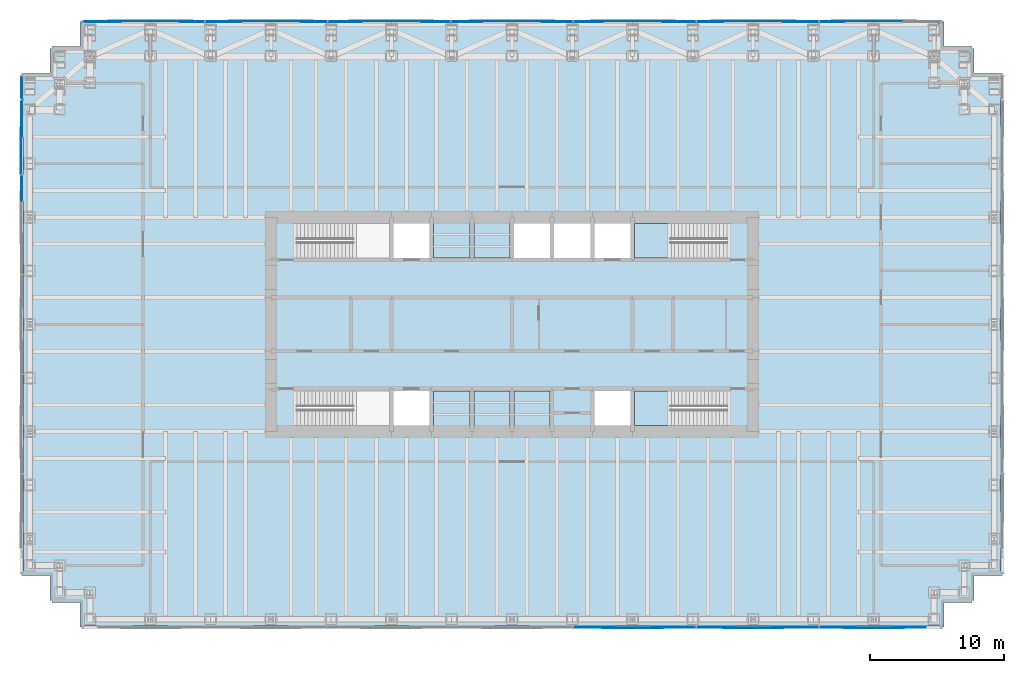
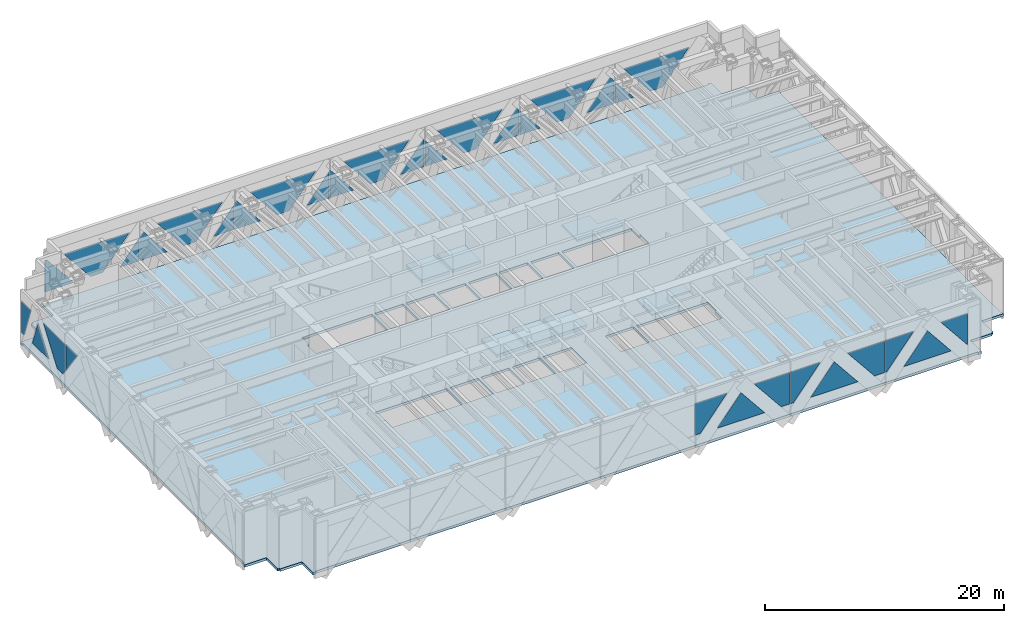
# One storey, part 11 of 16: 33 plates, 8 slabs, 5 elements without a shape of their own.
"""IFC4 building model written with IfcOpenShell, lengths in metres."""

import ifcopenshell
import ifcopenshell.guid

model = None  # the IFC model being written
_history = None  # IfcOwnerHistory: only IFC2X3 demands one
_inside = {}  # id of a spatial element -> (the spatial element, [elements in it])
_under = {}  # id of a project, library or spatial element -> (it, [spatial elements below it])
_declared = {}  # id of a project -> (the project, [libraries it declares])
_typed = {}  # id of a type object -> (the type object, [elements of that type])
_made_of = {}  # id of a material, layer set ... -> (it, [elements and type objects made of it])


def new_model(schema):
    """Start an empty IFC model of exactly this schema.

    Asked for "IFC4X3", IfcOpenShell would pick the latest addendum, in which some entities
    have other attributes; the version numbers below select the first issue.
    IFC2X3 requires an IfcOwnerHistory on every rooted entity: one is made here for all.
    """
    global model, _history
    if schema == "IFC4X3":
        model = ifcopenshell.file(schema_version=(4, 3, 0, 0))
    else:
        model = ifcopenshell.file(schema=schema)
    _inside.clear()
    _under.clear()
    _declared.clear()
    _typed.clear()
    _made_of.clear()
    _history = None
    if model.schema == "IFC2X3":
        org = make("IfcOrganization", Name="unknown")
        user = make(
            "IfcPersonAndOrganization",
            ThePerson=make("IfcPerson", FamilyName="unknown"),
            TheOrganization=org,
        )
        app = make(
            "IfcApplication",
            ApplicationDeveloper=org,
            Version="unknown",
            ApplicationFullName="unknown",
            ApplicationIdentifier="unknown",
        )
        _history = make(
            "IfcOwnerHistory",
            OwningUser=user,
            OwningApplication=app,
            ChangeAction="ADDED",
            CreationDate=0,
        )
    return model


def make(cls, **values):
    """One entity of the class cls with the attributes given. An attribute that is None is left unset."""
    return model.create_entity(
        cls, **{name: value for name, value in values.items() if value is not None}
    )


def rooted(cls, **values):
    """An entity with a GlobalId (a new one), such as an element, a storey or a relation."""
    return make(cls, GlobalId=ifcopenshell.guid.new(), OwnerHistory=_history, **values)


def si_unit(unit_type, name, prefix=None):
    """IfcSIUnit, for example si_unit("LENGTHUNIT", "METRE", prefix="MILLI")."""
    return make("IfcSIUnit", UnitType=unit_type, Prefix=prefix, Name=name)


def assignment(units):
    """IfcUnitAssignment: the units of a project."""
    return None if units is None else make("IfcUnitAssignment", Units=units)


def point(xyz):
    """IfcCartesianPoint."""
    return None if xyz is None else make("IfcCartesianPoint", Coordinates=xyz)


def direction(xyz):
    """IfcDirection."""
    return None if xyz is None else make("IfcDirection", DirectionRatios=xyz)


def frame(location, z_axis=None, x_axis=None):
    """IfcAxis2Placement3D, a coordinate frame: its origin and axes. An axis left out is left unset."""
    return make(
        "IfcAxis2Placement3D",
        Location=point(location),
        Axis=direction(z_axis),
        RefDirection=direction(x_axis),
    )


def origin():
    """The frame at (0, 0, 0) with its axes left unset."""
    return frame((0.0, 0.0, 0.0))


def place(relative_to, where):
    """IfcLocalPlacement: puts the frame where relative to a parent placement (None: the world)."""
    return make(
        "IfcLocalPlacement", PlacementRelTo=relative_to, RelativePlacement=where
    )


def context(
    kind, dimensions, precision=None, world=None, true_north=None, identifier=None
):
    """IfcGeometricRepresentationContext, for example the 3D "Model" context."""
    return make(
        "IfcGeometricRepresentationContext",
        ContextIdentifier=identifier,
        ContextType=kind,
        CoordinateSpaceDimension=dimensions,
        Precision=precision,
        WorldCoordinateSystem=world,
        TrueNorth=true_north,
    )


def subcontext(parent, identifier, kind, view, scale=None):
    """IfcGeometricRepresentationSubContext, for example "Body" below "Model"."""
    return make(
        "IfcGeometricRepresentationSubContext",
        ContextIdentifier=identifier,
        ContextType=kind,
        ParentContext=parent,
        TargetScale=scale,
        TargetView=view,
    )


def project(units=None, contexts=None):
    """IfcProject with its units and contexts."""
    return rooted(
        "IfcProject",
        Name="project",
        RepresentationContexts=contexts,
        UnitsInContext=assignment(units),
    )


def spatial(cls, under=None, at=None, **own):
    """A site, building, storey or space (cls), placed at a placement, below another one or the project."""
    s = rooted(cls, ObjectPlacement=at, **own)
    if under is not None:
        _under.setdefault(under.id(), (under, []))[1].append(s)
    return s


def polyline(points):
    """IfcPolyline through the points."""
    return make("IfcPolyline", Points=[point(p) for p in points])


def outline(outer, holes=None, kind="AREA"):
    """IfcArbitraryClosedProfileDef: a profile drawn as a closed curve; with holes, ...WithVoids."""
    if holes is None:
        return make("IfcArbitraryClosedProfileDef", ProfileType=kind, OuterCurve=outer)
    return make(
        "IfcArbitraryProfileDefWithVoids",
        ProfileType=kind,
        OuterCurve=outer,
        InnerCurves=holes,
    )


def extrude(swept, where, along, depth):
    """IfcExtrudedAreaSolid: the profile swept, set in the frame where, extruded along a direction by depth."""
    return make(
        "IfcExtrudedAreaSolid",
        SweptArea=swept,
        Position=where,
        ExtrudedDirection=direction(along),
        Depth=depth,
    )


def shape(context_of_items, identifier, shape_type, items):
    """IfcShapeRepresentation: the items that make up one representation, for example the "Body"."""
    return make(
        "IfcShapeRepresentation",
        ContextOfItems=context_of_items,
        RepresentationIdentifier=identifier,
        RepresentationType=shape_type,
        Items=items,
    )


def material(Name=None, Category=None):
    """IfcMaterial."""
    return make("IfcMaterial", Name=Name, Category=Category)


def layer(
    of_material, thickness, ventilated=None, Name=None, Category=None, Priority=None
):
    """IfcMaterialLayer: one layer of a wall or slab, of a material (None: an air gap)."""
    return make(
        "IfcMaterialLayer",
        Material=of_material,
        LayerThickness=thickness,
        IsVentilated=ventilated,
        Name=Name,
        Category=Category,
        Priority=Priority,
    )


def layer_set(layers, Name=None):
    """IfcMaterialLayerSet."""
    return make("IfcMaterialLayerSet", MaterialLayers=layers, LayerSetName=Name)


def made_of(thing, what):
    """Note that an element or type object is made of a material, layer set ...; save() writes the relation."""
    if what is not None:
        _made_of.setdefault(what.id(), (what, []))[1].append(thing)
    return thing


def type_object(cls, material=None, **own):
    """A type object (cls), such as IfcWallType, which elements share."""
    return made_of(rooted(cls, **own), material)


def element(
    cls,
    number,
    at=None,
    inside=None,
    cuts=None,
    type_object=None,
    material=None,
    context=None,
    identifier="Body",
    shape_type=None,
    held_by="IfcProductDefinitionShape",
    body=None,
    shapes=None,
    **own,
):
    """One element of the class cls, such as IfcWall. Its Tag is "e" and its number.

    at: its placement. inside: the storey or other place that contains it. cuts: it is an
    opening in that element (IfcRelVoidsElement). A single representation is given by context,
    identifier, shape_type and body (its items); several are given by shapes. held_by: the class
    of the entity that holds the representations. save() writes the other relations.
    """
    e = rooted(cls, Tag="e%d" % number, ObjectPlacement=at, **own)
    if body is not None:
        shapes = [shape(context, identifier, shape_type, body)]
    if shapes is not None:
        e.Representation = make(held_by, Representations=shapes)
    if inside is not None:
        _inside.setdefault(inside.id(), (inside, []))[1].append(e)
    if cuts is not None:
        rooted(
            "IfcRelVoidsElement", RelatingBuildingElement=cuts, RelatedOpeningElement=e
        )
    if type_object is not None:
        _typed.setdefault(type_object.id(), (type_object, []))[1].append(e)
    return made_of(e, material)


def aggregate(whole, parts):
    """IfcRelAggregates: a whole, such as a stair, and the parts it consists of."""
    return rooted("IfcRelAggregates", RelatingObject=whole, RelatedObjects=parts)


def save(model, path):
    """Write the relations noted so far, then the file.

    IfcRelAggregates (storeys below a building ...), IfcRelContainedInSpatialStructure (elements
    in a storey), IfcRelDefinesByType, IfcRelAssociatesMaterial and IfcRelDeclares: one each for
    every whole, place, type object, material and project.
    """
    for whole, parts in _under.values():
        aggregate(whole, parts)
    for where, things in _inside.values():
        rooted(
            "IfcRelContainedInSpatialStructure",
            RelatedElements=things,
            RelatingStructure=where,
        )
    for kind, things in _typed.values():
        rooted("IfcRelDefinesByType", RelatedObjects=things, RelatingType=kind)
    for what, things in _made_of.values():
        rooted("IfcRelAssociatesMaterial", RelatedObjects=things, RelatingMaterial=what)
    for by, libraries in _declared.values():
        rooted("IfcRelDeclares", RelatingContext=by, RelatedDefinitions=libraries)
    model.write(path)


model = new_model("IFC4")

# Units and contexts
model_context = context("Model", 3, precision=1e-05, world=origin(), true_north=direction((0.0, 1.0)))
body_context = subcontext(model_context, "Body", "Model", "MODEL_VIEW")
ifc_project = project(units=[si_unit("LENGTHUNIT", "METRE"), si_unit("AREAUNIT", "SQUARE_METRE"), si_unit("VOLUMEUNIT", "CUBIC_METRE"), si_unit("PLANEANGLEUNIT", "RADIAN"), si_unit("MASSUNIT", "GRAM", prefix="KILO")], contexts=[model_context])

# Site, building, storey
site_placement = place(None, origin())
site = spatial("IfcSite", under=ifc_project, at=site_placement, CompositionType="ELEMENT")
building_placement = place(site_placement, origin())
building = spatial("IfcBuilding", under=site, at=building_placement, Name="Rheinbord Bourse Tower", CompositionType="ELEMENT")
storey_placement = place(building_placement, frame((0.0, 0.0, 180.300048828125)))
storey = spatial("IfcBuildingStorey", under=building, at=storey_placement, Name="L40", CompositionType="ELEMENT", Elevation=180.300048828125)

# Slab
ifc_material_1 = material(Name="Concrete C30/37", Category="concrete")
ifc_layer_1 = layer(ifc_material_1, 0.25)
ifc_layer_set_1 = layer_set([ifc_layer_1], Name="COMPOSITE FLOOR SLAB 250")
slab_type_1 = type_object("IfcSlabType", Name="COMPOSITE FLOOR SLAB 250", PredefinedType="FLOOR", material=ifc_layer_set_1)
slab_1_placement = place(storey_placement, frame((0.0, 0.0, -0.25)))
element("IfcSlab", 1, at=slab_1_placement, inside=storey, type_object=slab_type_1, Name="Floor slab L40", PredefinedType="FLOOR", context=body_context, shape_type="SweptSolid", body=[
    extrude(outline(polyline([(1.64990234375, 3.39990234375), (1.5, 3.39990234375), (1.5, 5.25), (-0.60009765625, 5.25), (-0.60009765625, 5.550048828125), (-0.5, 5.550048828125), (-0.5, 42.449951171875), (-0.60009765625, 42.449951171875), (-0.60009765625, 42.75), (1.5, 42.75), (1.5, 44.60009765625), (1.64990234375, 44.60009765625), (1.64990234375, 44.75), (3.75, 44.75), (3.75, 46.60009765625), (4.050048828125, 46.60009765625), (4.050048828125, 46.5), (67.949951171875, 46.5), (67.949951171875, 46.60009765625), (68.25, 46.60009765625), (68.25, 44.75), (70.35009765625, 44.75), (70.35009765625, 44.60009765625), (70.5, 44.60009765625), (70.5, 42.75), (72.60009765625, 42.75), (72.60009765625, 42.449951171875), (72.5, 42.449951171875), (72.5, 5.550048828125), (72.60009765625, 5.550048828125), (72.60009765625, 5.25), (70.5, 5.25), (70.5, 3.39990234375), (70.35009765625, 3.39990234375), (70.35009765625, 3.25), (68.25, 3.25), (68.25, 1.39990234375), (67.949951171875, 1.39990234375), (67.949951171875, 1.5), (4.050048828125, 1.5), (4.050048828125, 1.39990234375), (3.75, 1.39990234375), (3.75, 3.25), (1.64990234375, 3.25), (1.64990234375, 3.39990234375)]), holes=[polyline([(19.949951171875, 19.050048828125), (26.85009765625, 19.050048828125), (26.85009765625, 16.449951171875), (20.10009765625, 16.449951171875), (20.10009765625, 17.64990234375), (19.949951171875, 17.64990234375), (19.949951171875, 19.050048828125)]), polyline([(26.85009765625, 31.550048828125), (26.85009765625, 28.949951171875), (19.949951171875, 28.949951171875), (19.949951171875, 30.35009765625), (20.10009765625, 30.35009765625), (20.10009765625, 31.550048828125), (26.85009765625, 31.550048828125)]), polyline([(45.14990234375, 16.449951171875), (45.14990234375, 19.050048828125), (52.050048828125, 19.050048828125), (52.050048828125, 17.64990234375), (51.89990234375, 17.64990234375), (51.89990234375, 16.449951171875), (45.14990234375, 16.449951171875)]), polyline([(52.050048828125, 28.949951171875), (45.14990234375, 28.949951171875), (45.14990234375, 31.550048828125), (51.89990234375, 31.550048828125), (51.89990234375, 30.35009765625), (52.050048828125, 30.35009765625), (52.050048828125, 28.949951171875)]), polyline([(27.14990234375, 16.449951171875), (27.14990234375, 19.050048828125), (29.85009765625, 19.050048828125), (29.85009765625, 16.449951171875), (27.14990234375, 16.449951171875)]), polyline([(27.14990234375, 28.949951171875), (27.14990234375, 31.550048828125), (29.85009765625, 31.550048828125), (29.85009765625, 28.949951171875), (27.14990234375, 28.949951171875)]), polyline([(30.14990234375, 16.449951171875), (30.14990234375, 19.050048828125), (32.85009765625, 19.050048828125), (32.85009765625, 16.449951171875), (30.14990234375, 16.449951171875)]), polyline([(30.14990234375, 28.949951171875), (30.14990234375, 31.550048828125), (32.85009765625, 31.550048828125), (32.85009765625, 28.949951171875), (30.14990234375, 28.949951171875)]), polyline([(33.14990234375, 16.449951171875), (33.14990234375, 19.050048828125), (35.85009765625, 19.050048828125), (35.85009765625, 16.449951171875), (33.14990234375, 16.449951171875)]), polyline([(33.14990234375, 28.949951171875), (33.14990234375, 31.550048828125), (35.85009765625, 31.550048828125), (35.85009765625, 28.949951171875), (33.14990234375, 28.949951171875)]), polyline([(36.14990234375, 16.449951171875), (36.14990234375, 19.050048828125), (38.85009765625, 19.050048828125), (38.85009765625, 16.449951171875), (36.14990234375, 16.449951171875)]), polyline([(36.14990234375, 28.949951171875), (36.14990234375, 31.550048828125), (38.85009765625, 31.550048828125), (38.85009765625, 28.949951171875), (36.14990234375, 28.949951171875)]), polyline([(39.14990234375, 28.949951171875), (39.14990234375, 31.550048828125), (41.85009765625, 31.550048828125), (41.85009765625, 28.949951171875), (39.14990234375, 28.949951171875)]), polyline([(42.14990234375, 16.449951171875), (42.14990234375, 19.050048828125), (44.85009765625, 19.050048828125), (44.85009765625, 16.449951171875), (42.14990234375, 16.449951171875)]), polyline([(42.14990234375, 28.949951171875), (42.14990234375, 31.550048828125), (44.85009765625, 31.550048828125), (44.85009765625, 28.949951171875), (42.14990234375, 28.949951171875)])]), origin(), (0.0, 0.0, 1.0), 0.25),
])

# Curtain wall, plates
ifc_material_2 = material(Name="Dark glass and black aluminium", Category="aluminium")
curtain_wall_type = type_object("IfcCurtainWallType", Name="CW5 DARK GLASS CURTAIN WALL", PredefinedType="USERDEFINED", material=ifc_material_2)
curtain_wall_1_placement = place(storey_placement, origin())
curtain_wall_1 = element("IfcCurtainWall", 2, at=curtain_wall_1_placement, inside=storey, type_object=curtain_wall_type, Name="Curtain wall CW5 S L40", ObjectType="UNITISED CURTAIN WALL", PredefinedType="USERDEFINED")
ifc_material_3 = material(Name="Dark tinted triple insulating glass", Category="glass")
ifc_layer_2 = layer(ifc_material_3, 0.050048828125)
ifc_layer_set_2 = layer_set([ifc_layer_2], Name="CW5 DARK GLASS PANEL")
plate_type = type_object("IfcPlateType", Name="CW5 DARK GLASS PANEL", PredefinedType="CURTAIN_PANEL", material=ifc_layer_set_2)
plate_1_placement = place(storey_placement, frame((40.6259765625, 1.375, 1.14990234375), z_axis=(0.0, 1.0, 0.0), x_axis=(0.0, 0.0, 1.0)))
plate_1 = element("IfcPlate", 3, at=plate_1_placement, type_object=plate_type, Name="CW5 glass facet 1", PredefinedType="CURTAIN_PANEL", context=body_context, shape_type="SweptSolid", body=[
    extrude(outline(polyline([(0.0, 0.0), (3.199951171875, 0.0), (3.199951171875, 3.051025390625), (0.0, 0.47509765625), (0.0, 0.0)])), origin(), (0.0, 0.0, 1.0), 0.050048828125),
])
plate_2_placement = place(storey_placement, frame((42.717041015625, 1.31982421875, 1.14990234375), z_axis=(0.0, 1.0, 0.0), x_axis=(0.627071935426, 0.0, 0.778961351931)))
plate_2 = element("IfcPlate", 4, at=plate_2_placement, type_object=plate_type, Name="CW5 glass facet 2", PredefinedType="CURTAIN_PANEL", context=body_context, shape_type="SweptSolid", body=[
    extrude(outline(polyline([(0.0, 0.0), (3.640625, 0.0), (2.863037109375, 3.556640625), (0.0, 0.0)])), origin(), (0.0, 0.0, 1.0), 0.050048828125),
])
plate_3_placement = place(storey_placement, frame((49.717041015625, 1.375, 4.349853515625), z_axis=(0.0, 1.0, 0.0), x_axis=(0.0, 0.0, -1.0)))
plate_3 = element("IfcPlate", 5, at=plate_3_placement, type_object=plate_type, Name="CW5 glass facet 3", PredefinedType="CURTAIN_PANEL", context=body_context, shape_type="SweptSolid", body=[
    extrude(outline(polyline([(0.0, 0.0), (3.199951171875, 0.0), (3.199951171875, 0.818115234375), (0.0, 3.39404296875), (0.0, 0.0)])), origin(), (0.0, 0.0, 1.0), 0.050048828125),
])
plate_4_placement = place(storey_placement, frame((49.797119140625, 1.375, 1.14990234375), z_axis=(0.0, 1.0, 0.0), x_axis=(0.0, 0.0, 1.0)))
plate_4 = element("IfcPlate", 6, at=plate_4_placement, type_object=plate_type, Name="CW5 glass facet 1", PredefinedType="CURTAIN_PANEL", context=body_context, shape_type="SweptSolid", body=[
    extrude(outline(polyline([(0.0, 0.0), (3.199951171875, 0.0), (3.199951171875, 2.8798828125), (0.0, 0.303955078125), (0.0, 0.0)])), origin(), (0.0, 0.0, 1.0), 0.050048828125),
])
plate_5_placement = place(storey_placement, frame((51.717041015625, 1.31982421875, 1.14990234375), z_axis=(0.0, 1.0, 0.0), x_axis=(0.627071935426, 0.0, 0.778961351931)))
plate_5 = element("IfcPlate", 7, at=plate_5_placement, type_object=plate_type, Name="CW5 glass facet 2", PredefinedType="CURTAIN_PANEL", context=body_context, shape_type="SweptSolid", body=[
    extrude(outline(polyline([(0.0, 0.0), (3.640625, 0.0), (2.863037109375, 3.556640625), (0.0, 0.0)])), origin(), (0.0, 0.0, 1.0), 0.050048828125),
])
plate_6_placement = place(storey_placement, frame((58.888916015625, 1.375, 4.349853515625), z_axis=(0.0, 1.0, 0.0), x_axis=(0.0, 0.0, -1.0)))
plate_6 = element("IfcPlate", 8, at=plate_6_placement, type_object=plate_type, Name="CW5 glass facet 3", PredefinedType="CURTAIN_PANEL", context=body_context, shape_type="SweptSolid", body=[
    extrude(outline(polyline([(0.0, 0.0), (3.199951171875, 0.0), (3.199951171875, 0.989990234375), (0.0, 3.56591796875), (0.0, 0.0)])), origin(), (0.0, 0.0, 1.0), 0.050048828125),
])
plate_7_placement = place(storey_placement, frame((58.968994140625, 1.375, 1.14990234375), z_axis=(0.0, 1.0, 0.0), x_axis=(0.0, 0.0, 1.0)))
plate_7 = element("IfcPlate", 9, at=plate_7_placement, type_object=plate_type, Name="CW5 glass facet 1", PredefinedType="CURTAIN_PANEL", context=body_context, shape_type="SweptSolid", body=[
    extrude(outline(polyline([(0.0, 0.0), (3.199951171875, 0.0), (3.199951171875, 2.7080078125), (0.0, 0.132080078125), (0.0, 0.0)])), origin(), (0.0, 0.0, 1.0), 0.050048828125),
])
plate_8_placement = place(storey_placement, frame((60.717041015625, 1.31982421875, 1.14990234375), z_axis=(0.0, 1.0, 0.0), x_axis=(0.627071935426, 0.0, 0.778961351931)))
plate_8 = element("IfcPlate", 10, at=plate_8_placement, type_object=plate_type, Name="CW5 glass facet 2", PredefinedType="CURTAIN_PANEL", context=body_context, shape_type="SweptSolid", body=[
    extrude(outline(polyline([(0.0, 0.0), (3.640625, 0.0), (2.863037109375, 3.556640625), (0.0, 0.0)])), origin(), (0.0, 0.0, 1.0), 0.050048828125),
])
plate_9_placement = place(storey_placement, frame((66.87109375, 1.375, 4.349853515625), z_axis=(0.0, 1.0, 0.0), x_axis=(0.0, 0.0, -1.0)))
plate_9 = element("IfcPlate", 11, at=plate_9_placement, type_object=plate_type, Name="CW5 glass facet 3", PredefinedType="CURTAIN_PANEL", context=body_context, shape_type="SweptSolid", body=[
    extrude(outline(polyline([(0.0, 0.0), (3.163818359375, 0.0), (0.0, 2.548095703125), (0.0, 0.0)])), origin(), (0.0, 0.0, 1.0), 0.050048828125),
])
aggregate(curtain_wall_1, [plate_1, plate_2, plate_3, plate_4, plate_5, plate_6, plate_7, plate_8, plate_9])

curtain_wall_2_placement = place(storey_placement, origin())
curtain_wall_2 = element("IfcCurtainWall", 12, at=curtain_wall_2_placement, inside=storey, type_object=curtain_wall_type, Name="Curtain wall CW5 N L40", ObjectType="UNITISED CURTAIN WALL", PredefinedType="USERDEFINED")
plate_10_placement = place(storey_placement, frame((63.60107421875, 46.68017578125, 1.14990234375), z_axis=(0.0, -1.0, 0.0), x_axis=(0.62706218413, 0.0, 0.778969201724)))
plate_10 = element("IfcPlate", 13, at=plate_10_placement, type_object=plate_type, Name="CW5 glass facet 2", PredefinedType="CURTAIN_PANEL", context=body_context, shape_type="SweptSolid", body=[
    extrude(outline(polyline([(0.0, 0.0), (4.10791015625, 0.0), (0.12353515625, 4.949462890625), (-0.75390625, 0.9365234375), (0.0, 0.0)])), origin(), (0.0, 0.0, 1.0), 0.050048828125),
])
plate_11_placement = place(storey_placement, frame((58.968994140625, 46.625, 1.14990234375), z_axis=(0.0, -1.0, 0.0), x_axis=(1.0, 0.0, 0.0)))
plate_11 = element("IfcPlate", 14, at=plate_11_placement, type_object=plate_type, Name="CW5 glass facet 3", PredefinedType="CURTAIN_PANEL", context=body_context, shape_type="SweptSolid", body=[
    extrude(outline(polyline([(0.0, 0.0), (1.81396484375, 0.0), (0.0, 2.254150390625), (0.0, 0.0)])), origin(), (0.0, 0.0, 1.0), 0.050048828125),
])
plate_12_placement = place(storey_placement, frame((58.888916015625, 46.625, 1.14990234375), z_axis=(0.0, -1.0, 0.0), x_axis=(0.0, 0.0, 1.0)))
plate_12 = element("IfcPlate", 15, at=plate_12_placement, type_object=plate_type, Name="CW5 glass facet 1", PredefinedType="CURTAIN_PANEL", context=body_context, shape_type="SweptSolid", body=[
    extrude(outline(polyline([(0.0, 0.0), (2.35302734375, 0.0), (2.8359375, 0.388916015625), (0.0, 2.671875), (0.0, 0.0)])), origin(), (0.0, 0.0, 1.0), 0.050048828125),
])
plate_13_placement = place(storey_placement, frame((54.60107421875, 46.68017578125, 1.14990234375), z_axis=(0.0, -1.0, 0.0), x_axis=(0.62706218413, 0.0, 0.778969201724)))
plate_13 = element("IfcPlate", 16, at=plate_13_placement, type_object=plate_type, Name="CW5 glass facet 2", PredefinedType="CURTAIN_PANEL", context=body_context, shape_type="SweptSolid", body=[
    extrude(outline(polyline([(0.0, 0.0), (4.10791015625, 0.0), (0.12353515625, 4.949462890625), (-0.75390625, 0.9365234375), (0.0, 0.0)])), origin(), (0.0, 0.0, 1.0), 0.050048828125),
])
plate_14_placement = place(storey_placement, frame((49.797119140625, 46.625, 1.14990234375), z_axis=(0.0, -1.0, 0.0), x_axis=(1.0, 0.0, 0.0)))
plate_14 = element("IfcPlate", 17, at=plate_14_placement, type_object=plate_type, Name="CW5 glass facet 3", PredefinedType="CURTAIN_PANEL", context=body_context, shape_type="SweptSolid", body=[
    extrude(outline(polyline([(0.0, 0.0), (1.98583984375, 0.0), (0.0, 2.467041015625), (0.0, 0.0)])), origin(), (0.0, 0.0, 1.0), 0.050048828125),
])
plate_15_placement = place(storey_placement, frame((49.717041015625, 46.625, 1.14990234375), z_axis=(0.0, -1.0, 0.0), x_axis=(0.0, 0.0, 1.0)))
plate_15 = element("IfcPlate", 18, at=plate_15_placement, type_object=plate_type, Name="CW5 glass facet 1", PredefinedType="CURTAIN_PANEL", context=body_context, shape_type="SweptSolid", body=[
    extrude(outline(polyline([(0.0, 0.0), (2.566162109375, 0.0), (2.8359375, 0.217041015625), (0.0, 2.5), (0.0, 0.0)])), origin(), (0.0, 0.0, 1.0), 0.050048828125),
])
plate_16_placement = place(storey_placement, frame((45.60107421875, 46.68017578125, 1.14990234375), z_axis=(0.0, -1.0, 0.0), x_axis=(0.62706218413, 0.0, 0.778969201724)))
plate_16 = element("IfcPlate", 19, at=plate_16_placement, type_object=plate_type, Name="CW5 glass facet 2", PredefinedType="CURTAIN_PANEL", context=body_context, shape_type="SweptSolid", body=[
    extrude(outline(polyline([(0.0, 0.0), (4.10791015625, 0.0), (0.12353515625, 4.949462890625), (-0.75390625, 0.9365234375), (0.0, 0.0)])), origin(), (0.0, 0.0, 1.0), 0.050048828125),
])
plate_17_placement = place(storey_placement, frame((40.6259765625, 46.625, 1.14990234375), z_axis=(0.0, -1.0, 0.0), x_axis=(1.0, 0.0, 0.0)))
plate_17 = element("IfcPlate", 20, at=plate_17_placement, type_object=plate_type, Name="CW5 glass facet 3", PredefinedType="CURTAIN_PANEL", context=body_context, shape_type="SweptSolid", body=[
    extrude(outline(polyline([(0.0, 0.0), (2.156982421875, 0.0), (0.0, 2.679931640625), (0.0, 0.0)])), origin(), (0.0, 0.0, 1.0), 0.050048828125),
])
plate_18_placement = place(storey_placement, frame((40.5458984375, 46.625, 1.14990234375), z_axis=(0.0, -1.0, 0.0), x_axis=(0.0, 0.0, 1.0)))
plate_18 = element("IfcPlate", 21, at=plate_18_placement, type_object=plate_type, Name="CW5 glass facet 1", PredefinedType="CURTAIN_PANEL", context=body_context, shape_type="SweptSolid", body=[
    extrude(outline(polyline([(0.0, 0.0), (2.779052734375, 0.0), (2.8359375, 0.0458984375), (0.0, 2.328857421875), (0.0, 0.0)])), origin(), (0.0, 0.0, 1.0), 0.050048828125),
])
plate_19_placement = place(storey_placement, frame((36.60107421875, 46.68017578125, 1.14990234375), z_axis=(0.0, -1.0, 0.0), x_axis=(0.62706218413, 0.0, 0.778969201724)))
plate_19 = element("IfcPlate", 22, at=plate_19_placement, type_object=plate_type, Name="CW5 glass facet 2", PredefinedType="CURTAIN_PANEL", context=body_context, shape_type="SweptSolid", body=[
    extrude(outline(polyline([(0.0, 0.0), (4.10791015625, 0.0), (0.12353515625, 4.949462890625), (-0.75390625, 0.9365234375), (0.0, 0.0)])), origin(), (0.0, 0.0, 1.0), 0.050048828125),
])
plate_20_placement = place(storey_placement, frame((31.4541015625, 46.625, 1.14990234375), z_axis=(0.0, -1.0, 0.0), x_axis=(1.0, 0.0, 0.0)))
plate_20 = element("IfcPlate", 23, at=plate_20_placement, type_object=plate_type, Name="CW5 glass facet 3", PredefinedType="CURTAIN_PANEL", context=body_context, shape_type="SweptSolid", body=[
    extrude(outline(polyline([(0.0, 0.0), (2.328857421875, 0.0), (0.0458984375, 2.8359375), (0.0, 2.779052734375), (0.0, 0.0)])), origin(), (0.0, 0.0, 1.0), 0.050048828125),
])
plate_21_placement = place(storey_placement, frame((31.3740234375, 46.625, 1.14990234375), z_axis=(0.0, -1.0, 0.0), x_axis=(0.0, 0.0, 1.0)))
plate_21 = element("IfcPlate", 24, at=plate_21_placement, type_object=plate_type, Name="CW5 glass facet 1", PredefinedType="CURTAIN_PANEL", context=body_context, shape_type="SweptSolid", body=[
    extrude(outline(polyline([(0.0, 0.0), (2.679931640625, 0.0), (0.0, 2.156982421875), (0.0, 0.0)])), origin(), (0.0, 0.0, 1.0), 0.050048828125),
])
plate_22_placement = place(storey_placement, frame((27.60107421875, 46.68017578125, 1.14990234375), z_axis=(0.0, -1.0, 0.0), x_axis=(0.62706218413, 0.0, 0.778969201724)))
plate_22 = element("IfcPlate", 25, at=plate_22_placement, type_object=plate_type, Name="CW5 glass facet 2", PredefinedType="CURTAIN_PANEL", context=body_context, shape_type="SweptSolid", body=[
    extrude(outline(polyline([(0.0, 0.0), (4.10791015625, 0.0), (0.12353515625, 4.949462890625), (-0.75390625, 0.9365234375), (0.0, 0.0)])), origin(), (0.0, 0.0, 1.0), 0.050048828125),
])
plate_23_placement = place(storey_placement, frame((22.282958984375, 46.625, 1.14990234375), z_axis=(0.0, -1.0, 0.0), x_axis=(1.0, 0.0, 0.0)))
plate_23 = element("IfcPlate", 26, at=plate_23_placement, type_object=plate_type, Name="CW5 glass facet 3", PredefinedType="CURTAIN_PANEL", context=body_context, shape_type="SweptSolid", body=[
    extrude(outline(polyline([(0.0, 0.0), (2.5, 0.0), (0.217041015625, 2.8359375), (0.0, 2.566162109375), (0.0, 0.0)])), origin(), (0.0, 0.0, 1.0), 0.050048828125),
])
plate_24_placement = place(storey_placement, frame((22.202880859375, 46.625, 1.14990234375), z_axis=(0.0, -1.0, 0.0), x_axis=(0.0, 0.0, 1.0)))
plate_24 = element("IfcPlate", 27, at=plate_24_placement, type_object=plate_type, Name="CW5 glass facet 1", PredefinedType="CURTAIN_PANEL", context=body_context, shape_type="SweptSolid", body=[
    extrude(outline(polyline([(0.0, 0.0), (2.467041015625, 0.0), (0.0, 1.98583984375), (0.0, 0.0)])), origin(), (0.0, 0.0, 1.0), 0.050048828125),
])
plate_25_placement = place(storey_placement, frame((18.60107421875, 46.68017578125, 1.14990234375), z_axis=(0.0, -1.0, 0.0), x_axis=(0.62706218413, 0.0, 0.778969201724)))
plate_25 = element("IfcPlate", 28, at=plate_25_placement, type_object=plate_type, Name="CW5 glass facet 2", PredefinedType="CURTAIN_PANEL", context=body_context, shape_type="SweptSolid", body=[
    extrude(outline(polyline([(0.0, 0.0), (4.10791015625, 0.0), (0.12353515625, 4.949462890625), (-0.75390625, 0.9365234375), (0.0, 0.0)])), origin(), (0.0, 0.0, 1.0), 0.050048828125),
])
plate_26_placement = place(storey_placement, frame((13.111083984375, 46.625, 1.14990234375), z_axis=(0.0, -1.0, 0.0), x_axis=(1.0, 0.0, 0.0)))
plate_26 = element("IfcPlate", 29, at=plate_26_placement, type_object=plate_type, Name="CW5 glass facet 3", PredefinedType="CURTAIN_PANEL", context=body_context, shape_type="SweptSolid", body=[
    extrude(outline(polyline([(0.0, 0.0), (2.671875, 0.0), (0.388916015625, 2.8359375), (0.0, 2.35302734375), (0.0, 0.0)])), origin(), (0.0, 0.0, 1.0), 0.050048828125),
])
plate_27_placement = place(storey_placement, frame((13.031005859375, 46.625, 1.14990234375), z_axis=(0.0, -1.0, 0.0), x_axis=(0.0, 0.0, 1.0)))
plate_27 = element("IfcPlate", 30, at=plate_27_placement, type_object=plate_type, Name="CW5 glass facet 1", PredefinedType="CURTAIN_PANEL", context=body_context, shape_type="SweptSolid", body=[
    extrude(outline(polyline([(0.0, 0.0), (2.254150390625, 0.0), (0.0, 1.81396484375), (0.0, 0.0)])), origin(), (0.0, 0.0, 1.0), 0.050048828125),
])
plate_28_placement = place(storey_placement, frame((9.60107421875, 46.68017578125, 1.14990234375), z_axis=(0.0, -1.0, 0.0), x_axis=(0.62706218413, 0.0, 0.778969201724)))
plate_28 = element("IfcPlate", 31, at=plate_28_placement, type_object=plate_type, Name="CW5 glass facet 2", PredefinedType="CURTAIN_PANEL", context=body_context, shape_type="SweptSolid", body=[
    extrude(outline(polyline([(0.0, 0.0), (4.10791015625, 0.0), (0.12353515625, 4.949462890625), (-0.75390625, 0.9365234375), (0.0, 0.0)])), origin(), (0.0, 0.0, 1.0), 0.050048828125),
])
plate_29_placement = place(storey_placement, frame((3.97998046875, 46.625, 4.349853515625), z_axis=(0.0, -1.0, 0.0), x_axis=(0.0, 0.0, -1.0)))
plate_29 = element("IfcPlate", 32, at=plate_29_placement, type_object=plate_type, Name="CW5 glass facet 3", PredefinedType="CURTAIN_PANEL", context=body_context, shape_type="SweptSolid", body=[
    extrude(outline(polyline([(0.0, 0.0), (3.199951171875, 0.0), (3.199951171875, 2.802978515625), (0.0, 0.22705078125), (0.0, 0.0)])), origin(), (0.0, 0.0, 1.0), 0.050048828125),
])
aggregate(curtain_wall_2, [plate_10, plate_11, plate_12, plate_13, plate_14, plate_15, plate_16, plate_17, plate_18, plate_19, plate_20, plate_21, plate_22, plate_23, plate_24, plate_25, plate_26, plate_27, plate_28, plate_29])

curtain_wall_3_placement = place(storey_placement, origin())
curtain_wall_3 = element("IfcCurtainWall", 33, at=curtain_wall_3_placement, inside=storey, type_object=curtain_wall_type, Name="Curtain wall CW5 W L40", ObjectType="UNITISED CURTAIN WALL", PredefinedType="USERDEFINED")
plate_30_placement = place(storey_placement, frame((-0.625, 42.52001953125, 1.14990234375), z_axis=(1.0, 0.0, 0.0), x_axis=(0.0, 0.0, 1.0)))
plate_30 = element("IfcPlate", 34, at=plate_30_placement, type_object=plate_type, Name="CW5 glass facet 1", PredefinedType="CURTAIN_PANEL", context=body_context, shape_type="SweptSolid", body=[
    extrude(outline(polyline([(0.0, 0.0), (3.199951171875, 0.0), (3.199951171875, 1.6220703125), (0.0, 0.47802734375), (0.0, 0.0)])), origin(), (0.0, 0.0, 1.0), 0.050048828125),
])
plate_31_placement = place(storey_placement, frame((-0.625, 40.705078125, 1.14990234375), z_axis=(1.0, 0.0, 0.0), x_axis=(0.0, -0.336873060387, 0.941550073647)))
plate_31 = element("IfcPlate", 35, at=plate_31_placement, type_object=plate_type, Name="CW5 glass facet 2", PredefinedType="CURTAIN_PANEL", context=body_context, shape_type="SweptSolid", body=[
    extrude(outline(polyline([(0.0, 0.0), (2.651123046875, 0.0), (0.902587890625, 2.522705078125), (0.0, 0.0)])), origin(), (0.0, 0.0, 1.0), 0.050048828125),
])
plate_32_placement = place(storey_placement, frame((-0.68017578125, 36.47802734375, 1.14990234375), z_axis=(1.0, 0.0, 0.0), x_axis=(0.0, 0.581971584449, 0.813209121256)))
plate_32 = element("IfcPlate", 36, at=plate_32_placement, type_object=plate_type, Name="CW5 glass facet 3", PredefinedType="CURTAIN_PANEL", context=body_context, shape_type="SweptSolid", body=[
    extrude(outline(polyline([(0.0, 0.0), (3.93505859375, 0.0), (1.8583984375, 2.901611328125), (-0.3779296875, 1.30126953125), (-0.556396484375, 0.777587890625), (0.0, 0.0)])), origin(), (0.0, 0.0, 1.0), 0.050048828125),
])
plate_33_placement = place(storey_placement, frame((-0.625, 35.1201171875, 4.349853515625), z_axis=(1.0, 0.0, 0.0), x_axis=(0.0, -1.0, 0.0)))
plate_33 = element("IfcPlate", 37, at=plate_33_placement, type_object=plate_type, Name="CW5 glass facet 1", PredefinedType="CURTAIN_PANEL", context=body_context, shape_type="SweptSolid", body=[
    extrude(outline(polyline([(0.0, 0.0), (1.88818359375, 0.0), (0.0, 2.637939453125), (0.0, 0.0)])), origin(), (0.0, 0.0, 1.0), 0.050048828125),
])
aggregate(curtain_wall_3, [plate_30, plate_31, plate_32, plate_33])

# Slabs
ifc_material_4 = material(Name="Concrete C50/60", Category="concrete")
ifc_layer_3 = layer(ifc_material_4, 0.300048828125)
ifc_layer_set_3 = layer_set([ifc_layer_3], Name="LIFT PIT SLAB 300")
slab_type_2 = type_object("IfcSlabType", Name="LIFT PIT SLAB 300", PredefinedType="USERDEFINED", material=ifc_layer_set_3)
slab_2_placement = place(storey_placement, frame((0.0, 0.0, 3.599853515625)))
element("IfcSlab", 38, at=slab_2_placement, inside=storey, type_object=slab_type_2, Name="Lift pit PC1", ObjectType="LIFT PIT SLAB", PredefinedType="USERDEFINED", context=body_context, shape_type="SweptSolid", body=[
    extrude(outline(polyline([(30.14990234375, 16.39990234375), (32.85009765625, 16.39990234375), (32.85009765625, 19.050048828125), (30.14990234375, 19.050048828125), (30.14990234375, 16.39990234375)])), origin(), (0.0, 0.0, 1.0), 0.300048828125),
])
slab_3_placement = place(storey_placement, frame((0.0, 0.0, 3.599853515625)))
element("IfcSlab", 39, at=slab_3_placement, inside=storey, type_object=slab_type_2, Name="Lift pit PC2", ObjectType="LIFT PIT SLAB", PredefinedType="USERDEFINED", context=body_context, shape_type="SweptSolid", body=[
    extrude(outline(polyline([(33.14990234375, 16.39990234375), (35.85009765625, 16.39990234375), (35.85009765625, 19.050048828125), (33.14990234375, 19.050048828125), (33.14990234375, 16.39990234375)])), origin(), (0.0, 0.0, 1.0), 0.300048828125),
])
slab_4_placement = place(storey_placement, frame((0.0, 0.0, 3.599853515625)))
element("IfcSlab", 40, at=slab_4_placement, inside=storey, type_object=slab_type_2, Name="Lift pit PC3", ObjectType="LIFT PIT SLAB", PredefinedType="USERDEFINED", context=body_context, shape_type="SweptSolid", body=[
    extrude(outline(polyline([(36.14990234375, 16.39990234375), (38.85009765625, 16.39990234375), (38.85009765625, 19.050048828125), (36.14990234375, 19.050048828125), (36.14990234375, 16.39990234375)])), origin(), (0.0, 0.0, 1.0), 0.300048828125),
])
slab_5_placement = place(storey_placement, frame((0.0, 0.0, 3.599853515625)))
element("IfcSlab", 41, at=slab_5_placement, inside=storey, type_object=slab_type_2, Name="Lift pit PC4", ObjectType="LIFT PIT SLAB", PredefinedType="USERDEFINED", context=body_context, shape_type="SweptSolid", body=[
    extrude(outline(polyline([(30.14990234375, 28.949951171875), (32.85009765625, 28.949951171875), (32.85009765625, 31.60009765625), (30.14990234375, 31.60009765625), (30.14990234375, 28.949951171875)])), origin(), (0.0, 0.0, 1.0), 0.300048828125),
])
slab_6_placement = place(storey_placement, frame((0.0, 0.0, 3.599853515625)))
element("IfcSlab", 42, at=slab_6_placement, inside=storey, type_object=slab_type_2, Name="Lift pit PC5", ObjectType="LIFT PIT SLAB", PredefinedType="USERDEFINED", context=body_context, shape_type="SweptSolid", body=[
    extrude(outline(polyline([(33.14990234375, 28.949951171875), (35.85009765625, 28.949951171875), (35.85009765625, 31.60009765625), (33.14990234375, 31.60009765625), (33.14990234375, 28.949951171875)])), origin(), (0.0, 0.0, 1.0), 0.300048828125),
])

# Stair, slab
ifc_material_5 = material(Name="Concrete C30/37", Category="concrete")
stair_type = type_object("IfcStairType", Name="CORE STAIR HALF TURN 5500", PredefinedType="HALF_TURN_STAIR", material=ifc_material_5)
stair_1_placement = place(storey_placement, origin())
stair_1 = element("IfcStair", 43, at=stair_1_placement, inside=storey, type_object=stair_type, Name="Stair ST3 L40, type CS5", PredefinedType="HALF_TURN_STAIR")
ifc_material_6 = material(Name="Concrete C30/37", Category="concrete")
ifc_layer_4 = layer(ifc_material_6, 0.199951171875)
ifc_layer_set_4 = layer_set([ifc_layer_4], Name="STAIR LANDING 200")
slab_type_3 = type_object("IfcSlabType", Name="STAIR LANDING 200", PredefinedType="LANDING", material=ifc_layer_set_4)
slab_7_placement = place(storey_placement, frame((0.0, 0.0, 2.550048828125)))
slab_7 = element("IfcSlab", 44, at=slab_7_placement, type_object=slab_type_3, Name="Half landing ST3 L40", PredefinedType="LANDING", context=body_context, shape_type="SweptSolid", body=[
    extrude(outline(polyline([(45.14990234375, 16.449951171875), (47.85009765625, 16.449951171875), (47.85009765625, 17.85009765625), (49.580078125, 17.85009765625), (49.580078125, 19.050048828125), (45.14990234375, 19.050048828125), (45.14990234375, 16.449951171875)])), origin(), (0.0, 0.0, 1.0), 0.199951171875),
])
aggregate(stair_1, [slab_7])

stair_2_placement = place(storey_placement, origin())
stair_2 = element("IfcStair", 45, at=stair_2_placement, inside=storey, type_object=stair_type, Name="Stair ST4 L40, type CS5", PredefinedType="HALF_TURN_STAIR")
slab_8_placement = place(storey_placement, frame((0.0, 0.0, 2.550048828125)))
slab_8 = element("IfcSlab", 46, at=slab_8_placement, type_object=slab_type_3, Name="Half landing ST4 L40", PredefinedType="LANDING", context=body_context, shape_type="SweptSolid", body=[
    extrude(outline(polyline([(45.14990234375, 28.949951171875), (49.580078125, 28.949951171875), (49.580078125, 30.14990234375), (47.85009765625, 30.14990234375), (47.85009765625, 31.550048828125), (45.14990234375, 31.550048828125), (45.14990234375, 28.949951171875)])), origin(), (0.0, 0.0, 1.0), 0.199951171875),
])
aggregate(stair_2, [slab_8])

save(model, "model.ifc")
